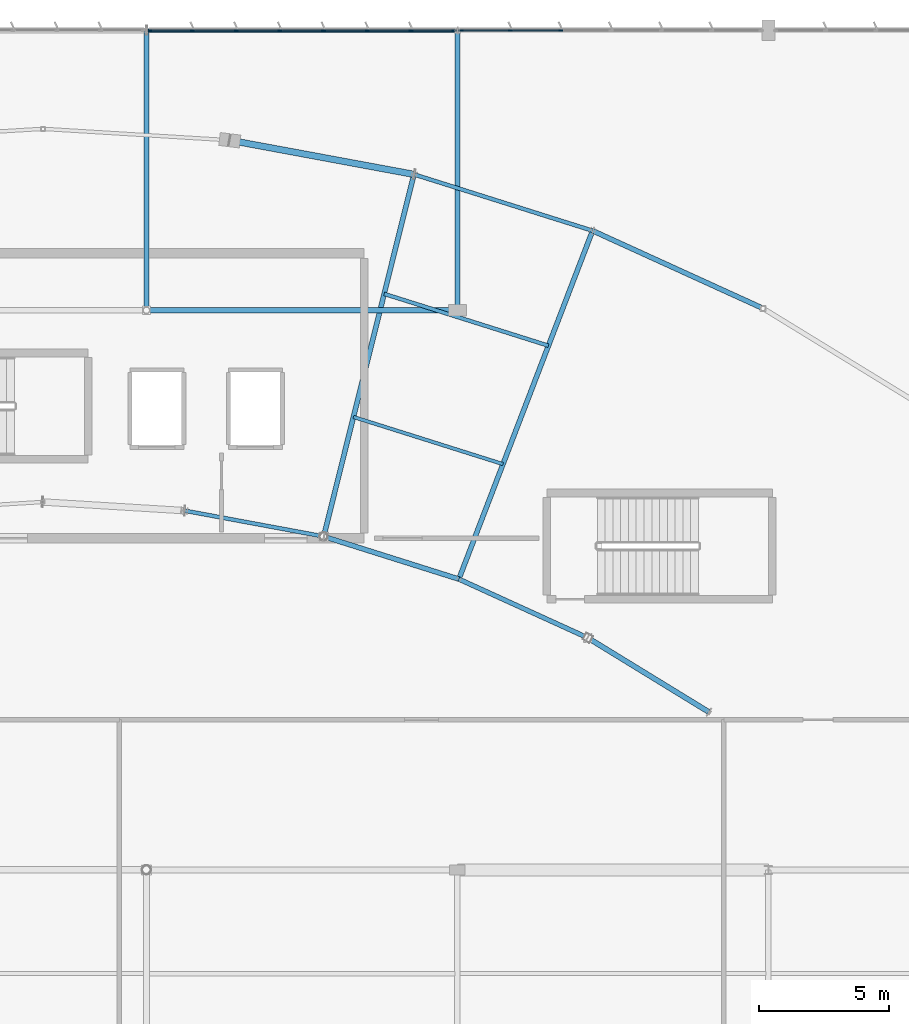
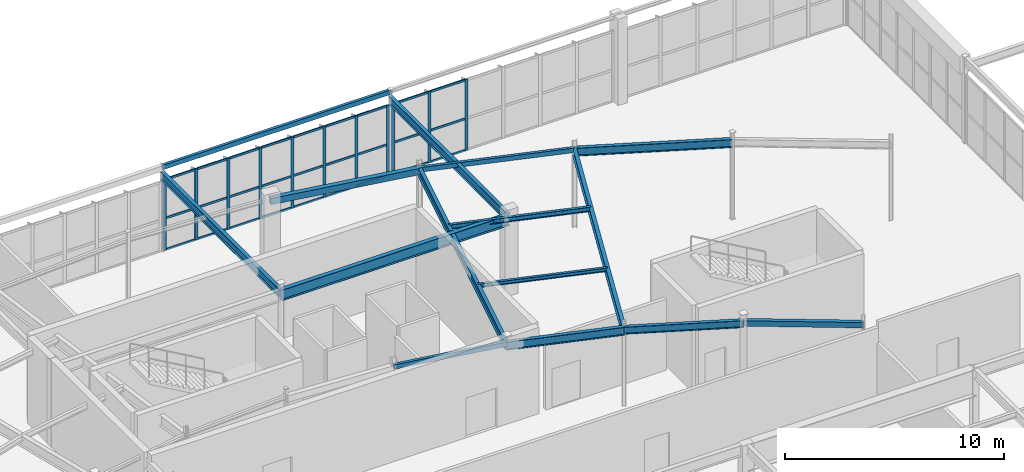
# One storey, part 82 of 186: 38 members, 15 beams, 2 elements without a shape of their own.
"""IFC4 building model written with IfcOpenShell, lengths in metres."""

import ifcopenshell
import ifcopenshell.guid

model = None  # the IFC model being written
_history = None  # IfcOwnerHistory: only IFC2X3 demands one
_inside = {}  # id of a spatial element -> (the spatial element, [elements in it])
_under = {}  # id of a project, library or spatial element -> (it, [spatial elements below it])
_declared = {}  # id of a project -> (the project, [libraries it declares])
_typed = {}  # id of a type object -> (the type object, [elements of that type])
_made_of = {}  # id of a material, layer set ... -> (it, [elements and type objects made of it])


def new_model(schema):
    """Start an empty IFC model of exactly this schema.

    Asked for "IFC4X3", IfcOpenShell would pick the latest addendum, in which some entities
    have other attributes; the version numbers below select the first issue.
    IFC2X3 requires an IfcOwnerHistory on every rooted entity: one is made here for all.
    """
    global model, _history
    if schema == "IFC4X3":
        model = ifcopenshell.file(schema_version=(4, 3, 0, 0))
    else:
        model = ifcopenshell.file(schema=schema)
    _inside.clear()
    _under.clear()
    _declared.clear()
    _typed.clear()
    _made_of.clear()
    _history = None
    if model.schema == "IFC2X3":
        org = make("IfcOrganization", Name="unknown")
        user = make(
            "IfcPersonAndOrganization",
            ThePerson=make("IfcPerson", FamilyName="unknown"),
            TheOrganization=org,
        )
        app = make(
            "IfcApplication",
            ApplicationDeveloper=org,
            Version="unknown",
            ApplicationFullName="unknown",
            ApplicationIdentifier="unknown",
        )
        _history = make(
            "IfcOwnerHistory",
            OwningUser=user,
            OwningApplication=app,
            ChangeAction="ADDED",
            CreationDate=0,
        )
    return model


def make(cls, **values):
    """One entity of the class cls with the attributes given. An attribute that is None is left unset."""
    return model.create_entity(
        cls, **{name: value for name, value in values.items() if value is not None}
    )


def rooted(cls, **values):
    """An entity with a GlobalId (a new one), such as an element, a storey or a relation."""
    return make(cls, GlobalId=ifcopenshell.guid.new(), OwnerHistory=_history, **values)


def si_unit(unit_type, name, prefix=None):
    """IfcSIUnit, for example si_unit("LENGTHUNIT", "METRE", prefix="MILLI")."""
    return make("IfcSIUnit", UnitType=unit_type, Prefix=prefix, Name=name)


def assignment(units):
    """IfcUnitAssignment: the units of a project."""
    return None if units is None else make("IfcUnitAssignment", Units=units)


def point(xyz):
    """IfcCartesianPoint."""
    return None if xyz is None else make("IfcCartesianPoint", Coordinates=xyz)


def direction(xyz):
    """IfcDirection."""
    return None if xyz is None else make("IfcDirection", DirectionRatios=xyz)


def frame(location, z_axis=None, x_axis=None):
    """IfcAxis2Placement3D, a coordinate frame: its origin and axes. An axis left out is left unset."""
    return make(
        "IfcAxis2Placement3D",
        Location=point(location),
        Axis=direction(z_axis),
        RefDirection=direction(x_axis),
    )


def frame_2d(location, x_axis=None):
    """IfcAxis2Placement2D, a coordinate frame in the plane: its origin and x axis."""
    return make(
        "IfcAxis2Placement2D", Location=point(location), RefDirection=direction(x_axis)
    )


def origin():
    """The frame at (0, 0, 0) with its axes left unset."""
    return frame((0.0, 0.0, 0.0))


def origin_2d():
    """The frame at (0, 0) in the plane with its x axis left unset."""
    return frame_2d((0.0, 0.0))


def place(relative_to, where):
    """IfcLocalPlacement: puts the frame where relative to a parent placement (None: the world)."""
    return make(
        "IfcLocalPlacement", PlacementRelTo=relative_to, RelativePlacement=where
    )


def context(
    kind, dimensions, precision=None, world=None, true_north=None, identifier=None
):
    """IfcGeometricRepresentationContext, for example the 3D "Model" context."""
    return make(
        "IfcGeometricRepresentationContext",
        ContextIdentifier=identifier,
        ContextType=kind,
        CoordinateSpaceDimension=dimensions,
        Precision=precision,
        WorldCoordinateSystem=world,
        TrueNorth=true_north,
    )


def subcontext(parent, identifier, kind, view, scale=None):
    """IfcGeometricRepresentationSubContext, for example "Body" below "Model"."""
    return make(
        "IfcGeometricRepresentationSubContext",
        ContextIdentifier=identifier,
        ContextType=kind,
        ParentContext=parent,
        TargetScale=scale,
        TargetView=view,
    )


def project(units=None, contexts=None):
    """IfcProject with its units and contexts."""
    return rooted(
        "IfcProject",
        Name="project",
        RepresentationContexts=contexts,
        UnitsInContext=assignment(units),
    )


def spatial(cls, under=None, at=None, **own):
    """A site, building, storey or space (cls), placed at a placement, below another one or the project."""
    s = rooted(cls, ObjectPlacement=at, **own)
    if under is not None:
        _under.setdefault(under.id(), (under, []))[1].append(s)
    return s


def profile(cls, at=None, kind="AREA", **sizes):
    """A parametric profile (cls). Its sizes go by their IFC names, for example OverallWidth=200.0."""
    return make(cls, ProfileType=kind, Position=at, **sizes)


def rectangle(**sizes):
    """IfcRectangleProfileDef."""
    return profile("IfcRectangleProfileDef", **sizes)


def hollow_rectangle(**sizes):
    """IfcRectangleHollowProfileDef."""
    return profile("IfcRectangleHollowProfileDef", **sizes)


def i_section(**sizes):
    """IfcIShapeProfileDef."""
    return profile("IfcIShapeProfileDef", **sizes)


def extrude(swept, where, along, depth):
    """IfcExtrudedAreaSolid: the profile swept, set in the frame where, extruded along a direction by depth."""
    return make(
        "IfcExtrudedAreaSolid",
        SweptArea=swept,
        Position=where,
        ExtrudedDirection=direction(along),
        Depth=depth,
    )


def shape(context_of_items, identifier, shape_type, items):
    """IfcShapeRepresentation: the items that make up one representation, for example the "Body"."""
    return make(
        "IfcShapeRepresentation",
        ContextOfItems=context_of_items,
        RepresentationIdentifier=identifier,
        RepresentationType=shape_type,
        Items=items,
    )


def material(Name=None, Category=None):
    """IfcMaterial."""
    return make("IfcMaterial", Name=Name, Category=Category)


def layer(
    of_material, thickness, ventilated=None, Name=None, Category=None, Priority=None
):
    """IfcMaterialLayer: one layer of a wall or slab, of a material (None: an air gap)."""
    return make(
        "IfcMaterialLayer",
        Material=of_material,
        LayerThickness=thickness,
        IsVentilated=ventilated,
        Name=Name,
        Category=Category,
        Priority=Priority,
    )


def layer_set(layers, Name=None):
    """IfcMaterialLayerSet."""
    return make("IfcMaterialLayerSet", MaterialLayers=layers, LayerSetName=Name)


def material_profile(
    of_material, cross_section, Name=None, Category=None, Priority=None
):
    """IfcMaterialProfile: a cross section and its material."""
    return make(
        "IfcMaterialProfile",
        Name=Name,
        Material=of_material,
        Profile=cross_section,
        Priority=Priority,
        Category=Category,
    )


def profile_set(profiles, Name=None, composite=None):
    """IfcMaterialProfileSet."""
    return make(
        "IfcMaterialProfileSet",
        Name=Name,
        MaterialProfiles=profiles,
        CompositeProfile=composite,
    )


def made_of(thing, what):
    """Note that an element or type object is made of a material, layer set ...; save() writes the relation."""
    if what is not None:
        _made_of.setdefault(what.id(), (what, []))[1].append(thing)
    return thing


def type_object(cls, material=None, **own):
    """A type object (cls), such as IfcWallType, which elements share."""
    return made_of(rooted(cls, **own), material)


def element(
    cls,
    number,
    at=None,
    inside=None,
    cuts=None,
    type_object=None,
    material=None,
    context=None,
    identifier="Body",
    shape_type=None,
    held_by="IfcProductDefinitionShape",
    body=None,
    shapes=None,
    **own,
):
    """One element of the class cls, such as IfcWall. Its Tag is "e" and its number.

    at: its placement. inside: the storey or other place that contains it. cuts: it is an
    opening in that element (IfcRelVoidsElement). A single representation is given by context,
    identifier, shape_type and body (its items); several are given by shapes. held_by: the class
    of the entity that holds the representations. save() writes the other relations.
    """
    e = rooted(cls, Tag="e%d" % number, ObjectPlacement=at, **own)
    if body is not None:
        shapes = [shape(context, identifier, shape_type, body)]
    if shapes is not None:
        e.Representation = make(held_by, Representations=shapes)
    if inside is not None:
        _inside.setdefault(inside.id(), (inside, []))[1].append(e)
    if cuts is not None:
        rooted(
            "IfcRelVoidsElement", RelatingBuildingElement=cuts, RelatedOpeningElement=e
        )
    if type_object is not None:
        _typed.setdefault(type_object.id(), (type_object, []))[1].append(e)
    return made_of(e, material)


def aggregate(whole, parts):
    """IfcRelAggregates: a whole, such as a stair, and the parts it consists of."""
    return rooted("IfcRelAggregates", RelatingObject=whole, RelatedObjects=parts)


def save(model, path):
    """Write the relations noted so far, then the file.

    IfcRelAggregates (storeys below a building ...), IfcRelContainedInSpatialStructure (elements
    in a storey), IfcRelDefinesByType, IfcRelAssociatesMaterial and IfcRelDeclares: one each for
    every whole, place, type object, material and project.
    """
    for whole, parts in _under.values():
        aggregate(whole, parts)
    for where, things in _inside.values():
        rooted(
            "IfcRelContainedInSpatialStructure",
            RelatedElements=things,
            RelatingStructure=where,
        )
    for kind, things in _typed.values():
        rooted("IfcRelDefinesByType", RelatedObjects=things, RelatingType=kind)
    for what, things in _made_of.values():
        rooted("IfcRelAssociatesMaterial", RelatedObjects=things, RelatingMaterial=what)
    for by, libraries in _declared.values():
        rooted("IfcRelDeclares", RelatingContext=by, RelatedDefinitions=libraries)
    model.write(path)


model = new_model("IFC4")

# Units and contexts
model_context = context("Model", 3, precision=1e-05, world=origin(), true_north=direction((0.0, 1.0)))
body_context = subcontext(model_context, "Body", "Model", "MODEL_VIEW")
ifc_project = project(units=[si_unit("LENGTHUNIT", "METRE"), si_unit("AREAUNIT", "SQUARE_METRE"), si_unit("VOLUMEUNIT", "CUBIC_METRE"), si_unit("PLANEANGLEUNIT", "RADIAN"), si_unit("MASSUNIT", "GRAM", prefix="KILO")], contexts=[model_context])

# Site, building, storey
site_placement = place(None, origin())
site = spatial("IfcSite", under=ifc_project, at=site_placement, CompositionType="ELEMENT")
building_placement = place(site_placement, origin())
building = spatial("IfcBuilding", under=site, at=building_placement, Name="Tarnwether General Hospital", CompositionType="ELEMENT")
storey_placement = place(building_placement, frame((0.0, 0.0, 9.60009765625)))
storey = spatial("IfcBuildingStorey", under=building, at=storey_placement, Name="L02", CompositionType="ELEMENT", Elevation=9.60009765625)

# Beams
ifc_material_1 = material(Name="Steel Grade 350 (350 MPa)", Category="steel")
ifc_material_profile_1 = material_profile(ifc_material_1, i_section(OverallWidth=0.22802734375, OverallDepth=0.60205078125, WebThickness=0.010498046875, FlangeThickness=0.014892578125, at=origin_2d()), Name="610UB101")
ifc_profile_set_1 = profile_set([ifc_material_profile_1], Name="Steel Grade 350 (350 MPa)")
beam_type_1 = type_object("IfcBeamType", Name="BM-G05", PredefinedType="BEAM", material=ifc_profile_set_1)
beam_1_placement = place(storey_placement, frame((96.0, 115.199951171875, 4.12890625), z_axis=(1.0, 0.0, 0.0), x_axis=(0.0, 1.0, 0.0)))
element("IfcBeam", 1, at=beam_1_placement, inside=storey, type_object=beam_type_1, Name="Primary Girder BMG-L02-9600_11520-10800_11520-1530", PredefinedType="BEAM", context=body_context, shape_type="SweptSolid", body=[
    extrude(i_section(OverallWidth=0.22802734375, OverallDepth=0.60205078125, WebThickness=0.010498046875, FlangeThickness=0.014892578125, at=origin_2d()), origin(), (0.0, 0.0, 1.0), 12.0),
])
ifc_material_2 = material(Name="Steel Grade 350 (350 MPa)", Category="steel")
ifc_material_profile_2 = material_profile(ifc_material_2, i_section(OverallWidth=0.19091796875, OverallDepth=0.4599609375, WebThickness=0.010009765625, FlangeThickness=0.01611328125, at=origin_2d()), Name="460UB82.1")
ifc_profile_set_2 = profile_set([ifc_material_profile_2], Name="Steel Grade 350 (350 MPa)")
beam_type_2 = type_object("IfcBeamType", Name="BM-G08", PredefinedType="BEAM", material=ifc_profile_set_2)
beam_2_placement = place(storey_placement, frame((96.0, 115.199951171875, 4.199951171875), z_axis=(0.0, 1.0, 0.0), x_axis=(-1.0, 0.0, 0.0)))
element("IfcBeam", 2, at=beam_2_placement, inside=storey, type_object=beam_type_2, Name="Primary Girder BMG-L02-9600_11520-9600_12600-1531", PredefinedType="BEAM", context=body_context, shape_type="SweptSolid", body=[
    extrude(i_section(OverallWidth=0.19091796875, OverallDepth=0.4599609375, WebThickness=0.010009765625, FlangeThickness=0.01611328125, at=origin_2d()), origin(), (0.0, 0.0, 1.0), 10.800048828125),
])
beam_3_placement = place(storey_placement, frame((106.322021484375, 120.44189453125, 4.199951171875), z_axis=(-0.241941215118, -0.970290909175, 0.0), x_axis=(0.970290909175, -0.241941215118, 0.0)))
element("IfcBeam", 3, at=beam_3_placement, inside=storey, type_object=beam_type_2, Name="Curved Ward NW Radial Girder BMG-L02-10632_12044-10284_10647-1889", PredefinedType="BEAM", context=body_context, shape_type="SweptSolid", body=[
    extrude(i_section(OverallWidth=0.19091796875, OverallDepth=0.4599609375, WebThickness=0.010009765625, FlangeThickness=0.01611328125, at=origin_2d()), origin(), (0.0, 0.0, 1.0), 14.400634765625),
])
ifc_material_3 = material(Name="Steel Grade 350 (350 MPa)", Category="steel")
ifc_material_profile_3 = material_profile(ifc_material_3, i_section(OverallWidth=0.18994140625, OverallDepth=0.45703125, WebThickness=0.009033203125, FlangeThickness=0.014404296875, at=origin_2d()), Name="460UB74.6")
ifc_profile_set_3 = profile_set([ifc_material_profile_3], Name="Steel Grade 350 (350 MPa)")
beam_type_3 = type_object("IfcBeamType", Name="BM-G09", PredefinedType="BEAM", material=ifc_profile_set_3)
beam_4_placement = place(storey_placement, frame((108.0, 115.199951171875, 4.201416015625), z_axis=(0.0, 1.0, 0.0), x_axis=(-1.0, 0.0, 0.0)))
element("IfcBeam", 4, at=beam_4_placement, inside=storey, type_object=beam_type_3, Name="Primary Girder BMG-L02-10800_11520-10800_12600-1539", PredefinedType="BEAM", context=body_context, shape_type="SweptSolid", body=[
    extrude(i_section(OverallWidth=0.18994140625, OverallDepth=0.45703125, WebThickness=0.009033203125, FlangeThickness=0.014404296875, at=origin_2d()), origin(), (0.0, 0.0, 1.0), 10.800048828125),
])
beam_5_placement = place(storey_placement, frame((113.215087890625, 118.26806640625, 4.201416015625), z_axis=(-0.358334838026, -0.933593136145, 0.0), x_axis=(0.933593136145, -0.358334838026, 0.0)))
element("IfcBeam", 5, at=beam_5_placement, inside=storey, type_object=beam_type_3, Name="Curved Ward NW Radial Girder BMG-L02-11322_11827-10806_10482-1890", PredefinedType="BEAM", context=body_context, shape_type="SweptSolid", body=[
    extrude(i_section(OverallWidth=0.18994140625, OverallDepth=0.45703125, WebThickness=0.009033203125, FlangeThickness=0.014404296875, at=origin_2d()), origin(), (0.0, 0.0, 1.0), 14.400390625),
])
ifc_material_4 = material(Name="Steel Grade 350 (350 MPa)", Category="steel")
ifc_material_profile_4 = material_profile(ifc_material_4, i_section(OverallWidth=0.14599609375, OverallDepth=0.256103515625, WebThickness=0.00634765625, FlangeThickness=0.010986328125, at=origin_2d()), Name="250UB37.3")
ifc_profile_set_4 = profile_set([ifc_material_profile_4], Name="Steel Grade 350 (350 MPa)")
beam_type_4 = type_object("IfcBeamType", Name="BM-J09", PredefinedType="JOIST", material=ifc_profile_set_4)
beam_6_placement = place(storey_placement, frame((105.172119140625, 115.8310546875, 4.302001953125), z_axis=(0.953671429399, -0.300850136693, 0.0), x_axis=(0.300850136693, 0.953671429399, 0.0)))
element("IfcBeam", 6, at=beam_6_placement, inside=storey, type_object=beam_type_4, Name="Curved Ward NW Chord Joist BMG-L02-10517_11583-11151_11383-1911", PredefinedType="JOIST", context=body_context, shape_type="SweptSolid", body=[
    extrude(i_section(OverallWidth=0.14599609375, OverallDepth=0.256103515625, WebThickness=0.00634765625, FlangeThickness=0.010986328125, at=origin_2d()), origin(), (0.0, 0.0, 1.0), 6.64794921875),
])
ifc_material_5 = material(Name="Steel Grade 350 (350 MPa)", Category="steel")
ifc_material_profile_5 = material_profile(ifc_material_5, i_section(OverallWidth=0.134033203125, OverallDepth=0.20703125, WebThickness=0.00634765625, FlangeThickness=0.009521484375, at=origin_2d()), Name="200UB29.8")
ifc_profile_set_5 = profile_set([ifc_material_profile_5], Name="Steel Grade 350 (350 MPa)")
beam_type_5 = type_object("IfcBeamType", Name="BM-J12", PredefinedType="JOIST", material=ifc_profile_set_5)
beam_7_placement = place(storey_placement, frame((103.988037109375, 111.080078125, 4.326416015625), z_axis=(0.953725879816, -0.300677478654, 0.0), x_axis=(0.300677478654, 0.953725879816, 0.0)))
element("IfcBeam", 7, at=beam_7_placement, inside=storey, type_object=beam_type_5, Name="Curved Ward NW Chord Joist BMG-L02-10399_11108-10976_10926-1912", PredefinedType="JOIST", context=body_context, shape_type="SweptSolid", body=[
    extrude(i_section(OverallWidth=0.134033203125, OverallDepth=0.20703125, WebThickness=0.00634765625, FlangeThickness=0.009521484375, at=origin_2d()), origin(), (0.0, 0.0, 1.0), 6.050048828125),
])
ifc_material_6 = material(Name="Steel Grade 350 (350 MPa)", Category="steel")
ifc_material_profile_6 = material_profile(ifc_material_6, i_section(OverallWidth=0.18994140625, OverallDepth=0.4541015625, WebThickness=0.008544921875, FlangeThickness=0.0126953125, at=origin_2d()), Name="460UB67.1")
ifc_profile_set_6 = profile_set([ifc_material_profile_6], Name="Steel Grade 350 (350 MPa)")
beam_type_6 = type_object("IfcBeamType", Name="BM-SP1", PredefinedType="SPANDREL", material=ifc_profile_set_6)
beam_8_placement = place(storey_placement, frame((102.837890625, 106.468994140625, 4.202880859375), z_axis=(0.953712084488, -0.300721232874, 0.0), x_axis=(0.300721232874, 0.953712084488, 0.0)))
element("IfcBeam", 8, at=beam_8_placement, inside=storey, type_object=beam_type_6, Name="Curved Ward NW Inner Spandrel BMG-L02-10284_10647-10806_10482-1910", PredefinedType="SPANDREL", context=body_context, shape_type="SweptSolid", body=[
    extrude(i_section(OverallWidth=0.18994140625, OverallDepth=0.4541015625, WebThickness=0.008544921875, FlangeThickness=0.0126953125, at=origin_2d()), origin(), (0.0, 0.0, 1.0), 5.47021484375),
])
beam_9_placement = place(storey_placement, frame((113.215087890625, 118.26806640625, 4.202880859375), z_axis=(0.909943842177, -0.414731484316, 0.0), x_axis=(0.414731484316, 0.909943842177, 0.0)))
element("IfcBeam", 9, at=beam_9_placement, inside=storey, type_object=beam_type_6, Name="Curved Ward NW Outer Spandrel BMG-L02-11322_11827-11979_11527-1913", PredefinedType="SPANDREL", context=body_context, shape_type="SweptSolid", body=[
    extrude(i_section(OverallWidth=0.18994140625, OverallDepth=0.4541015625, WebThickness=0.008544921875, FlangeThickness=0.0126953125, at=origin_2d()), origin(), (0.0, 0.0, 1.0), 7.22900390625),
])
ifc_material_7 = material(Name="Steel Grade 350 (350 MPa)", Category="steel")
ifc_material_profile_7 = material_profile(ifc_material_7, i_section(OverallWidth=0.177978515625, OverallDepth=0.403076171875, WebThickness=0.007568359375, FlangeThickness=0.010986328125, at=origin_2d()), Name="410UB53.7")
ifc_profile_set_7 = profile_set([ifc_material_profile_7], Name="Steel Grade 350 (350 MPa)")
beam_type_7 = type_object("IfcBeamType", Name="BM-SP2", PredefinedType="SPANDREL", material=ifc_profile_set_7)
beam_10_placement = place(storey_placement, frame((108.054931640625, 104.823974609375, 4.228515625), z_axis=(0.909968605358, -0.414677148228, 0.0), x_axis=(0.414677148228, 0.909968605358, 0.0)))
element("IfcBeam", 10, at=beam_10_placement, inside=storey, type_object=beam_type_7, Name="Curved Ward NW Inner Spandrel BMG-L02-10806_10482-11303_10256-1914", PredefinedType="SPANDREL", context=body_context, shape_type="SweptSolid", body=[
    extrude(i_section(OverallWidth=0.177978515625, OverallDepth=0.403076171875, WebThickness=0.007568359375, FlangeThickness=0.010986328125, at=origin_2d()), origin(), (0.0, 0.0, 1.0), 5.469482421875),
])
ifc_material_8 = material(Name="Steel Grade C350L0 (350 MPa)", Category="steel")
ifc_material_profile_8 = material_profile(ifc_material_8, hollow_rectangle(XDim=0.199951171875, YDim=0.300048828125, WallThickness=0.012451171875, at=origin_2d()), Name="RHS300x200x12.5")
ifc_profile_set_8 = profile_set([ifc_material_profile_8], Name="Steel Grade C350L0 (350 MPa)")
beam_type_8 = type_object("IfcBeamType", Name="BM-SP3", PredefinedType="SPANDREL", material=ifc_profile_set_8)
beam_11_placement = place(storey_placement, frame((113.031982421875, 102.555908203125, 4.27978515625), z_axis=(0.85265897909, -0.522467860617, 0.0), x_axis=(0.522467860617, 0.85265897909, 0.0)))
element("IfcBeam", 11, at=beam_11_placement, inside=storey, type_object=beam_type_8, Name="Curved Ward NW Inner Spandrel BMG-L02-11303_10256-11770_9970-1916", PredefinedType="SPANDREL", context=body_context, shape_type="SweptSolid", body=[
    extrude(hollow_rectangle(XDim=0.199951171875, YDim=0.300048828125, WallThickness=0.012451171875, at=origin_2d()), origin(), (0.0, 0.0, 1.0), 5.469970703125),
])
ifc_material_9 = material(Name="Steel Grade C350L0 (350 MPa)", Category="steel")
ifc_material_profile_9 = material_profile(ifc_material_9, hollow_rectangle(XDim=0.14990234375, YDim=0.25, WallThickness=0.010009765625, at=origin_2d()), Name="RHS250x150x10")
ifc_profile_set_9 = profile_set([ifc_material_profile_9], Name="Steel Grade C350L0 (350 MPa)")
beam_type_9 = type_object("IfcBeamType", Name="BM-SP4", PredefinedType="SPANDREL", material=ifc_profile_set_9)
beam_12_placement = place(storey_placement, frame((96.0, 126.0, 4.6748046875), z_axis=(1.0, 0.0, 0.0), x_axis=(0.0, 1.0, 0.0)))
element("IfcBeam", 12, at=beam_12_placement, inside=storey, type_object=beam_type_9, Name="Primary Girder BMG-L02-9600_12600-10800_12600-1532", PredefinedType="SPANDREL", context=body_context, shape_type="SweptSolid", body=[
    extrude(hollow_rectangle(XDim=0.14990234375, YDim=0.25, WallThickness=0.010009765625, at=origin_2d()), origin(), (0.0, 0.0, 1.0), 12.0),
])
ifc_material_10 = material(Name="Steel Grade C350L0 (350 MPa)", Category="steel")
ifc_material_profile_10 = material_profile(ifc_material_10, hollow_rectangle(XDim=0.25, YDim=0.35009765625, WallThickness=0.012451171875, at=origin_2d()), Name="RHS350x250x12.5")
ifc_profile_set_10 = profile_set([ifc_material_profile_10], Name="Steel Grade C350L0 (350 MPa)")
beam_type_10 = type_object("IfcBeamType", Name="BM-SP7", PredefinedType="SPANDREL", material=ifc_profile_set_10)
beam_13_placement = place(storey_placement, frame((99.215087890625, 121.759033203125, 4.2548828125), z_axis=(0.98325623662, -0.182228354399, 0.0), x_axis=(0.182228354399, 0.98325623662, 0.0)))
element("IfcBeam", 13, at=beam_13_placement, inside=storey, type_object=beam_type_10, Name="Curved Ward NW Outer Spandrel BMG-L02-9922_12176-10632_12044-1907", PredefinedType="SPANDREL", context=body_context, shape_type="SweptSolid", body=[
    extrude(hollow_rectangle(XDim=0.25, YDim=0.35009765625, WallThickness=0.012451171875, at=origin_2d()), origin(), (0.0, 0.0, 1.0), 7.22802734375),
])
ifc_material_11 = material(Name="Steel Grade C350L0 (350 MPa)", Category="steel")
ifc_material_profile_11 = material_profile(ifc_material_11, hollow_rectangle(XDim=0.14990234375, YDim=0.25, WallThickness=0.008056640625, at=origin_2d()), Name="RHS250x150x8")
ifc_profile_set_11 = profile_set([ifc_material_profile_11], Name="Steel Grade C350L0 (350 MPa)")
beam_type_11 = type_object("IfcBeamType", Name="BM-SP8", PredefinedType="SPANDREL", material=ifc_profile_set_11)
beam_14_placement = place(storey_placement, frame((97.4599609375, 107.466064453125, 4.304931640625), z_axis=(0.983244096291, -0.18229384825, 0.0), x_axis=(0.18229384825, 0.983244096291, 0.0)))
element("IfcBeam", 14, at=beam_14_placement, inside=storey, type_object=beam_type_11, Name="Curved Ward NW Inner Spandrel BMG-L02-9746_10747-10284_10647-1908", PredefinedType="SPANDREL", context=body_context, shape_type="SweptSolid", body=[
    extrude(hollow_rectangle(XDim=0.14990234375, YDim=0.25, WallThickness=0.008056640625, at=origin_2d()), origin(), (0.0, 0.0, 1.0), 5.469482421875),
])
beam_15_placement = place(storey_placement, frame((106.322021484375, 120.44189453125, 4.304931640625), z_axis=(0.953698988948, -0.300762761125, 0.0), x_axis=(0.300762761125, 0.953698988948, 0.0)))
element("IfcBeam", 15, at=beam_15_placement, inside=storey, type_object=beam_type_11, Name="Curved Ward NW Outer Spandrel BMG-L02-10632_12044-11322_11827-1909", PredefinedType="SPANDREL", context=body_context, shape_type="SweptSolid", body=[
    extrude(hollow_rectangle(XDim=0.14990234375, YDim=0.25, WallThickness=0.008056640625, at=origin_2d()), origin(), (0.0, 0.0, 1.0), 7.227783203125),
])

# Curtain wall, members
ifc_material_12 = material(Name="Anodised aluminium", Category="aluminium")
ifc_layer = layer(ifc_material_12, 0.159912109375)
ifc_layer_set = layer_set([ifc_layer], Name="Anodised aluminium")
curtain_wall_type = type_object("IfcCurtainWallType", Name="CW-17", PredefinedType="NOTDEFINED", material=ifc_layer_set)
curtain_wall_1_placement = place(storey_placement, origin())
curtain_wall_1 = element("IfcCurtainWall", 16, at=curtain_wall_1_placement, inside=storey, type_object=curtain_wall_type, Name="Curtain Wall CWG-L02-961_1260-0406", PredefinedType="NOTDEFINED")
ifc_material_13 = material(Name="Anodised aluminium", Category="aluminium")
ifc_material_profile_12 = material_profile(ifc_material_13, rectangle(XDim=0.06005859375, YDim=0.159912109375, at=origin_2d()), Name="ALU-MUL-60x160")
ifc_profile_set_12 = profile_set([ifc_material_profile_12], Name="Anodised aluminium")
member_type_1 = type_object("IfcMemberType", Name="CW-ML1", PredefinedType="MULLION", material=ifc_profile_set_12)
member_1_placement = place(storey_placement, frame((96.114013671875, 126.0, 0.0), z_axis=(0.0, 0.0, 1.0), x_axis=(0.0, 1.0, 0.0)))
member_1 = element("IfcMember", 17, at=member_1_placement, type_object=member_type_1, Name="CW-17 mullion 1", PredefinedType="MULLION", context=body_context, shape_type="SweptSolid", body=[
    extrude(rectangle(XDim=0.06005859375, YDim=0.159912109375, at=origin_2d()), origin(), (0.0, 0.0, 1.0), 3.954833984375),
])
member_2_placement = place(storey_placement, frame((97.771240234375, 126.0, 0.0), z_axis=(0.0, 0.0, 1.0), x_axis=(0.0, 1.0, 0.0)))
member_2 = element("IfcMember", 18, at=member_2_placement, type_object=member_type_1, Name="CW-17 mullion 2", PredefinedType="MULLION", context=body_context, shape_type="SweptSolid", body=[
    extrude(rectangle(XDim=0.06005859375, YDim=0.159912109375, at=origin_2d()), origin(), (0.0, 0.0, 1.0), 3.954833984375),
])
member_3_placement = place(storey_placement, frame((99.45849609375, 126.0, 0.0), z_axis=(0.0, 0.0, 1.0), x_axis=(0.0, 1.0, 0.0)))
member_3 = element("IfcMember", 19, at=member_3_placement, type_object=member_type_1, Name="CW-17 mullion 3", PredefinedType="MULLION", context=body_context, shape_type="SweptSolid", body=[
    extrude(rectangle(XDim=0.06005859375, YDim=0.159912109375, at=origin_2d()), origin(), (0.0, 0.0, 1.0), 3.954833984375),
])
member_4_placement = place(storey_placement, frame((101.145751953125, 126.0, 0.0), z_axis=(0.0, 0.0, 1.0), x_axis=(0.0, 1.0, 0.0)))
member_4 = element("IfcMember", 20, at=member_4_placement, type_object=member_type_1, Name="CW-17 mullion 4", PredefinedType="MULLION", context=body_context, shape_type="SweptSolid", body=[
    extrude(rectangle(XDim=0.06005859375, YDim=0.159912109375, at=origin_2d()), origin(), (0.0, 0.0, 1.0), 3.954833984375),
])
member_5_placement = place(storey_placement, frame((102.833251953125, 126.0, 0.0), z_axis=(0.0, 0.0, 1.0), x_axis=(0.0, 1.0, 0.0)))
member_5 = element("IfcMember", 21, at=member_5_placement, type_object=member_type_1, Name="CW-17 mullion 5", PredefinedType="MULLION", context=body_context, shape_type="SweptSolid", body=[
    extrude(rectangle(XDim=0.06005859375, YDim=0.159912109375, at=origin_2d()), origin(), (0.0, 0.0, 1.0), 3.954833984375),
])
member_6_placement = place(storey_placement, frame((104.5205078125, 126.0, 0.0), z_axis=(0.0, 0.0, 1.0), x_axis=(0.0, 1.0, 0.0)))
member_6 = element("IfcMember", 22, at=member_6_placement, type_object=member_type_1, Name="CW-17 mullion 6", PredefinedType="MULLION", context=body_context, shape_type="SweptSolid", body=[
    extrude(rectangle(XDim=0.06005859375, YDim=0.159912109375, at=origin_2d()), origin(), (0.0, 0.0, 1.0), 3.954833984375),
])
member_7_placement = place(storey_placement, frame((106.207763671875, 126.0, 0.0), z_axis=(0.0, 0.0, 1.0), x_axis=(0.0, 1.0, 0.0)))
member_7 = element("IfcMember", 23, at=member_7_placement, type_object=member_type_1, Name="CW-17 mullion 7", PredefinedType="MULLION", context=body_context, shape_type="SweptSolid", body=[
    extrude(rectangle(XDim=0.06005859375, YDim=0.159912109375, at=origin_2d()), origin(), (0.0, 0.0, 1.0), 3.954833984375),
])
member_8_placement = place(storey_placement, frame((107.864990234375, 126.0, 0.0), z_axis=(0.0, 0.0, 1.0), x_axis=(0.0, 1.0, 0.0)))
member_8 = element("IfcMember", 24, at=member_8_placement, type_object=member_type_1, Name="CW-17 mullion 8", PredefinedType="MULLION", context=body_context, shape_type="SweptSolid", body=[
    extrude(rectangle(XDim=0.06005859375, YDim=0.159912109375, at=origin_2d()), origin(), (0.0, 0.0, 1.0), 3.954833984375),
])

curtain_wall_2_placement = place(storey_placement, origin())
curtain_wall_2 = element("IfcCurtainWall", 25, at=curtain_wall_2_placement, inside=storey, type_object=curtain_wall_type, Name="Curtain Wall CWG-L02-1081_1260-0407", PredefinedType="NOTDEFINED")
member_9_placement = place(storey_placement, frame((108.135009765625, 126.0, 0.0), z_axis=(0.0, 0.0, 1.0), x_axis=(0.0, 1.0, 0.0)))
member_9 = element("IfcMember", 26, at=member_9_placement, type_object=member_type_1, Name="CW-17 mullion 1", PredefinedType="MULLION", context=body_context, shape_type="SweptSolid", body=[
    extrude(rectangle(XDim=0.06005859375, YDim=0.159912109375, at=origin_2d()), origin(), (0.0, 0.0, 1.0), 3.9580078125),
])
member_10_placement = place(storey_placement, frame((110.04443359375, 126.0, 0.0), z_axis=(0.0, 0.0, 1.0), x_axis=(0.0, 1.0, 0.0)))
member_10 = element("IfcMember", 27, at=member_10_placement, type_object=member_type_1, Name="CW-17 mullion 2", PredefinedType="MULLION", context=body_context, shape_type="SweptSolid", body=[
    extrude(rectangle(XDim=0.06005859375, YDim=0.159912109375, at=origin_2d()), origin(), (0.0, 0.0, 1.0), 3.9580078125),
])
member_11_placement = place(storey_placement, frame((111.98388671875, 126.0, 0.0), z_axis=(0.0, 0.0, 1.0), x_axis=(0.0, 1.0, 0.0)))
member_11 = element("IfcMember", 28, at=member_11_placement, type_object=member_type_1, Name="CW-17 mullion 3", PredefinedType="MULLION", context=body_context, shape_type="SweptSolid", body=[
    extrude(rectangle(XDim=0.06005859375, YDim=0.159912109375, at=origin_2d()), origin(), (0.0, 0.0, 1.0), 3.9580078125),
])

# Member
ifc_material_14 = material(Name="Anodised aluminium", Category="aluminium")
ifc_material_profile_13 = material_profile(ifc_material_14, rectangle(XDim=0.06005859375, YDim=0.1201171875, at=origin_2d()), Name="ALU-TRN-60x120")
ifc_profile_set_13 = profile_set([ifc_material_profile_13], Name="Anodised aluminium")
member_type_2 = type_object("IfcMemberType", Name="CW-TR1", PredefinedType="USERDEFINED", material=ifc_profile_set_13)
member_12_placement = place(storey_placement, frame((96.14404296875, 126.0, 0.02978515625), z_axis=(1.0, 0.0, 0.0), x_axis=(0.0, 1.0, 0.0)))
member_12 = element("IfcMember", 29, at=member_12_placement, type_object=member_type_2, Name="CW-17 transom 1.1", ObjectType="TRANSOM", PredefinedType="USERDEFINED", context=body_context, shape_type="SweptSolid", body=[
    extrude(rectangle(XDim=0.06005859375, YDim=0.1201171875, at=origin_2d()), origin(), (0.0, 0.0, 1.0), 1.59716796875),
])

member_13_placement = place(storey_placement, frame((96.14404296875, 126.0, 1.779541015625), z_axis=(1.0, 0.0, 0.0), x_axis=(0.0, 1.0, 0.0)))
member_13 = element("IfcMember", 30, at=member_13_placement, type_object=member_type_2, Name="CW-17 transom 1.2", ObjectType="TRANSOM", PredefinedType="USERDEFINED", context=body_context, shape_type="SweptSolid", body=[
    extrude(rectangle(XDim=0.06005859375, YDim=0.1201171875, at=origin_2d()), origin(), (0.0, 0.0, 1.0), 1.59716796875),
])

member_14_placement = place(storey_placement, frame((96.14404296875, 126.0, 3.9248046875), z_axis=(1.0, 0.0, 0.0), x_axis=(0.0, 1.0, 0.0)))
member_14 = element("IfcMember", 31, at=member_14_placement, type_object=member_type_2, Name="CW-17 transom 1.3", ObjectType="TRANSOM", PredefinedType="USERDEFINED", context=body_context, shape_type="SweptSolid", body=[
    extrude(rectangle(XDim=0.06005859375, YDim=0.1201171875, at=origin_2d()), origin(), (0.0, 0.0, 1.0), 1.59716796875),
])

member_15_placement = place(storey_placement, frame((97.80126953125, 126.0, 0.02978515625), z_axis=(1.0, 0.0, 0.0), x_axis=(0.0, 1.0, 0.0)))
member_15 = element("IfcMember", 32, at=member_15_placement, type_object=member_type_2, Name="CW-17 transom 2.1", ObjectType="TRANSOM", PredefinedType="USERDEFINED", context=body_context, shape_type="SweptSolid", body=[
    extrude(rectangle(XDim=0.06005859375, YDim=0.1201171875, at=origin_2d()), origin(), (0.0, 0.0, 1.0), 1.627197265625),
])

member_16_placement = place(storey_placement, frame((97.80126953125, 126.0, 1.779541015625), z_axis=(1.0, 0.0, 0.0), x_axis=(0.0, 1.0, 0.0)))
member_16 = element("IfcMember", 33, at=member_16_placement, type_object=member_type_2, Name="CW-17 transom 2.2", ObjectType="TRANSOM", PredefinedType="USERDEFINED", context=body_context, shape_type="SweptSolid", body=[
    extrude(rectangle(XDim=0.06005859375, YDim=0.1201171875, at=origin_2d()), origin(), (0.0, 0.0, 1.0), 1.627197265625),
])

member_17_placement = place(storey_placement, frame((97.80126953125, 126.0, 3.9248046875), z_axis=(1.0, 0.0, 0.0), x_axis=(0.0, 1.0, 0.0)))
member_17 = element("IfcMember", 34, at=member_17_placement, type_object=member_type_2, Name="CW-17 transom 2.3", ObjectType="TRANSOM", PredefinedType="USERDEFINED", context=body_context, shape_type="SweptSolid", body=[
    extrude(rectangle(XDim=0.06005859375, YDim=0.1201171875, at=origin_2d()), origin(), (0.0, 0.0, 1.0), 1.627197265625),
])

member_18_placement = place(storey_placement, frame((99.488525390625, 126.0, 0.02978515625), z_axis=(1.0, 0.0, 0.0), x_axis=(0.0, 1.0, 0.0)))
member_18 = element("IfcMember", 35, at=member_18_placement, type_object=member_type_2, Name="CW-17 transom 3.1", ObjectType="TRANSOM", PredefinedType="USERDEFINED", context=body_context, shape_type="SweptSolid", body=[
    extrude(rectangle(XDim=0.06005859375, YDim=0.1201171875, at=origin_2d()), origin(), (0.0, 0.0, 1.0), 1.62744140625),
])

member_19_placement = place(storey_placement, frame((99.488525390625, 126.0, 1.779541015625), z_axis=(1.0, 0.0, 0.0), x_axis=(0.0, 1.0, 0.0)))
member_19 = element("IfcMember", 36, at=member_19_placement, type_object=member_type_2, Name="CW-17 transom 3.2", ObjectType="TRANSOM", PredefinedType="USERDEFINED", context=body_context, shape_type="SweptSolid", body=[
    extrude(rectangle(XDim=0.06005859375, YDim=0.1201171875, at=origin_2d()), origin(), (0.0, 0.0, 1.0), 1.62744140625),
])

member_20_placement = place(storey_placement, frame((99.488525390625, 126.0, 3.9248046875), z_axis=(1.0, 0.0, 0.0), x_axis=(0.0, 1.0, 0.0)))
member_20 = element("IfcMember", 37, at=member_20_placement, type_object=member_type_2, Name="CW-17 transom 3.3", ObjectType="TRANSOM", PredefinedType="USERDEFINED", context=body_context, shape_type="SweptSolid", body=[
    extrude(rectangle(XDim=0.06005859375, YDim=0.1201171875, at=origin_2d()), origin(), (0.0, 0.0, 1.0), 1.62744140625),
])

member_21_placement = place(storey_placement, frame((101.17578125, 126.0, 0.02978515625), z_axis=(1.0, 0.0, 0.0), x_axis=(0.0, 1.0, 0.0)))
member_21 = element("IfcMember", 38, at=member_21_placement, type_object=member_type_2, Name="CW-17 transom 4.1", ObjectType="TRANSOM", PredefinedType="USERDEFINED", context=body_context, shape_type="SweptSolid", body=[
    extrude(rectangle(XDim=0.06005859375, YDim=0.1201171875, at=origin_2d()), origin(), (0.0, 0.0, 1.0), 1.62744140625),
])

member_22_placement = place(storey_placement, frame((101.17578125, 126.0, 1.779541015625), z_axis=(1.0, 0.0, 0.0), x_axis=(0.0, 1.0, 0.0)))
member_22 = element("IfcMember", 39, at=member_22_placement, type_object=member_type_2, Name="CW-17 transom 4.2", ObjectType="TRANSOM", PredefinedType="USERDEFINED", context=body_context, shape_type="SweptSolid", body=[
    extrude(rectangle(XDim=0.06005859375, YDim=0.1201171875, at=origin_2d()), origin(), (0.0, 0.0, 1.0), 1.62744140625),
])

member_23_placement = place(storey_placement, frame((101.17578125, 126.0, 3.9248046875), z_axis=(1.0, 0.0, 0.0), x_axis=(0.0, 1.0, 0.0)))
member_23 = element("IfcMember", 40, at=member_23_placement, type_object=member_type_2, Name="CW-17 transom 4.3", ObjectType="TRANSOM", PredefinedType="USERDEFINED", context=body_context, shape_type="SweptSolid", body=[
    extrude(rectangle(XDim=0.06005859375, YDim=0.1201171875, at=origin_2d()), origin(), (0.0, 0.0, 1.0), 1.62744140625),
])

member_24_placement = place(storey_placement, frame((102.863037109375, 126.0, 0.02978515625), z_axis=(1.0, 0.0, 0.0), x_axis=(0.0, 1.0, 0.0)))
member_24 = element("IfcMember", 41, at=member_24_placement, type_object=member_type_2, Name="CW-17 transom 5.1", ObjectType="TRANSOM", PredefinedType="USERDEFINED", context=body_context, shape_type="SweptSolid", body=[
    extrude(rectangle(XDim=0.06005859375, YDim=0.1201171875, at=origin_2d()), origin(), (0.0, 0.0, 1.0), 1.62744140625),
])

member_25_placement = place(storey_placement, frame((102.863037109375, 126.0, 1.779541015625), z_axis=(1.0, 0.0, 0.0), x_axis=(0.0, 1.0, 0.0)))
member_25 = element("IfcMember", 42, at=member_25_placement, type_object=member_type_2, Name="CW-17 transom 5.2", ObjectType="TRANSOM", PredefinedType="USERDEFINED", context=body_context, shape_type="SweptSolid", body=[
    extrude(rectangle(XDim=0.06005859375, YDim=0.1201171875, at=origin_2d()), origin(), (0.0, 0.0, 1.0), 1.62744140625),
])

member_26_placement = place(storey_placement, frame((102.863037109375, 126.0, 3.9248046875), z_axis=(1.0, 0.0, 0.0), x_axis=(0.0, 1.0, 0.0)))
member_26 = element("IfcMember", 43, at=member_26_placement, type_object=member_type_2, Name="CW-17 transom 5.3", ObjectType="TRANSOM", PredefinedType="USERDEFINED", context=body_context, shape_type="SweptSolid", body=[
    extrude(rectangle(XDim=0.06005859375, YDim=0.1201171875, at=origin_2d()), origin(), (0.0, 0.0, 1.0), 1.62744140625),
])

member_27_placement = place(storey_placement, frame((104.550537109375, 126.0, 0.02978515625), z_axis=(1.0, 0.0, 0.0), x_axis=(0.0, 1.0, 0.0)))
member_27 = element("IfcMember", 44, at=member_27_placement, type_object=member_type_2, Name="CW-17 transom 6.1", ObjectType="TRANSOM", PredefinedType="USERDEFINED", context=body_context, shape_type="SweptSolid", body=[
    extrude(rectangle(XDim=0.06005859375, YDim=0.1201171875, at=origin_2d()), origin(), (0.0, 0.0, 1.0), 1.627197265625),
])

member_28_placement = place(storey_placement, frame((104.550537109375, 126.0, 1.779541015625), z_axis=(1.0, 0.0, 0.0), x_axis=(0.0, 1.0, 0.0)))
member_28 = element("IfcMember", 45, at=member_28_placement, type_object=member_type_2, Name="CW-17 transom 6.2", ObjectType="TRANSOM", PredefinedType="USERDEFINED", context=body_context, shape_type="SweptSolid", body=[
    extrude(rectangle(XDim=0.06005859375, YDim=0.1201171875, at=origin_2d()), origin(), (0.0, 0.0, 1.0), 1.627197265625),
])

member_29_placement = place(storey_placement, frame((104.550537109375, 126.0, 3.9248046875), z_axis=(1.0, 0.0, 0.0), x_axis=(0.0, 1.0, 0.0)))
member_29 = element("IfcMember", 46, at=member_29_placement, type_object=member_type_2, Name="CW-17 transom 6.3", ObjectType="TRANSOM", PredefinedType="USERDEFINED", context=body_context, shape_type="SweptSolid", body=[
    extrude(rectangle(XDim=0.06005859375, YDim=0.1201171875, at=origin_2d()), origin(), (0.0, 0.0, 1.0), 1.627197265625),
])

member_30_placement = place(storey_placement, frame((106.23779296875, 126.0, 0.02978515625), z_axis=(1.0, 0.0, 0.0), x_axis=(0.0, 1.0, 0.0)))
member_30 = element("IfcMember", 47, at=member_30_placement, type_object=member_type_2, Name="CW-17 transom 7.1", ObjectType="TRANSOM", PredefinedType="USERDEFINED", context=body_context, shape_type="SweptSolid", body=[
    extrude(rectangle(XDim=0.06005859375, YDim=0.1201171875, at=origin_2d()), origin(), (0.0, 0.0, 1.0), 1.59716796875),
])

member_31_placement = place(storey_placement, frame((106.23779296875, 126.0, 1.779541015625), z_axis=(1.0, 0.0, 0.0), x_axis=(0.0, 1.0, 0.0)))
member_31 = element("IfcMember", 48, at=member_31_placement, type_object=member_type_2, Name="CW-17 transom 7.2", ObjectType="TRANSOM", PredefinedType="USERDEFINED", context=body_context, shape_type="SweptSolid", body=[
    extrude(rectangle(XDim=0.06005859375, YDim=0.1201171875, at=origin_2d()), origin(), (0.0, 0.0, 1.0), 1.59716796875),
])

member_32_placement = place(storey_placement, frame((106.23779296875, 126.0, 3.9248046875), z_axis=(1.0, 0.0, 0.0), x_axis=(0.0, 1.0, 0.0)))
member_32 = element("IfcMember", 49, at=member_32_placement, type_object=member_type_2, Name="CW-17 transom 7.3", ObjectType="TRANSOM", PredefinedType="USERDEFINED", context=body_context, shape_type="SweptSolid", body=[
    extrude(rectangle(XDim=0.06005859375, YDim=0.1201171875, at=origin_2d()), origin(), (0.0, 0.0, 1.0), 1.59716796875),
])

aggregate(curtain_wall_1, [member_1, member_2, member_3, member_4, member_5, member_6, member_7, member_8, member_12, member_13, member_14, member_15, member_16, member_17, member_18, member_19, member_20, member_21, member_22, member_23, member_24, member_25, member_26, member_27, member_28, member_29, member_30, member_31, member_32])

member_33_placement = place(storey_placement, frame((108.1650390625, 126.0, 0.02978515625), z_axis=(1.0, 0.0, 0.0), x_axis=(0.0, 1.0, 0.0)))
member_33 = element("IfcMember", 50, at=member_33_placement, type_object=member_type_2, Name="CW-17 transom 1.1", ObjectType="TRANSOM", PredefinedType="USERDEFINED", context=body_context, shape_type="SweptSolid", body=[
    extrude(rectangle(XDim=0.06005859375, YDim=0.1201171875, at=origin_2d()), origin(), (0.0, 0.0, 1.0), 1.849365234375),
])

member_34_placement = place(storey_placement, frame((108.1650390625, 126.0, 1.781005859375), z_axis=(1.0, 0.0, 0.0), x_axis=(0.0, 1.0, 0.0)))
member_34 = element("IfcMember", 51, at=member_34_placement, type_object=member_type_2, Name="CW-17 transom 1.2", ObjectType="TRANSOM", PredefinedType="USERDEFINED", context=body_context, shape_type="SweptSolid", body=[
    extrude(rectangle(XDim=0.06005859375, YDim=0.1201171875, at=origin_2d()), origin(), (0.0, 0.0, 1.0), 1.849365234375),
])

member_35_placement = place(storey_placement, frame((108.1650390625, 126.0, 3.927978515625), z_axis=(1.0, 0.0, 0.0), x_axis=(0.0, 1.0, 0.0)))
member_35 = element("IfcMember", 52, at=member_35_placement, type_object=member_type_2, Name="CW-17 transom 1.3", ObjectType="TRANSOM", PredefinedType="USERDEFINED", context=body_context, shape_type="SweptSolid", body=[
    extrude(rectangle(XDim=0.06005859375, YDim=0.1201171875, at=origin_2d()), origin(), (0.0, 0.0, 1.0), 1.849365234375),
])

member_36_placement = place(storey_placement, frame((110.074462890625, 126.0, 0.02978515625), z_axis=(1.0, 0.0, 0.0), x_axis=(0.0, 1.0, 0.0)))
member_36 = element("IfcMember", 53, at=member_36_placement, type_object=member_type_2, Name="CW-17 transom 2.1", ObjectType="TRANSOM", PredefinedType="USERDEFINED", context=body_context, shape_type="SweptSolid", body=[
    extrude(rectangle(XDim=0.06005859375, YDim=0.1201171875, at=origin_2d()), origin(), (0.0, 0.0, 1.0), 1.879638671875),
])

member_37_placement = place(storey_placement, frame((110.074462890625, 126.0, 1.781005859375), z_axis=(1.0, 0.0, 0.0), x_axis=(0.0, 1.0, 0.0)))
member_37 = element("IfcMember", 54, at=member_37_placement, type_object=member_type_2, Name="CW-17 transom 2.2", ObjectType="TRANSOM", PredefinedType="USERDEFINED", context=body_context, shape_type="SweptSolid", body=[
    extrude(rectangle(XDim=0.06005859375, YDim=0.1201171875, at=origin_2d()), origin(), (0.0, 0.0, 1.0), 1.879638671875),
])

member_38_placement = place(storey_placement, frame((110.074462890625, 126.0, 3.927978515625), z_axis=(1.0, 0.0, 0.0), x_axis=(0.0, 1.0, 0.0)))
member_38 = element("IfcMember", 55, at=member_38_placement, type_object=member_type_2, Name="CW-17 transom 2.3", ObjectType="TRANSOM", PredefinedType="USERDEFINED", context=body_context, shape_type="SweptSolid", body=[
    extrude(rectangle(XDim=0.06005859375, YDim=0.1201171875, at=origin_2d()), origin(), (0.0, 0.0, 1.0), 1.879638671875),
])

aggregate(curtain_wall_2, [member_9, member_10, member_11, member_33, member_34, member_35, member_36, member_37, member_38])

save(model, "model.ifc")
